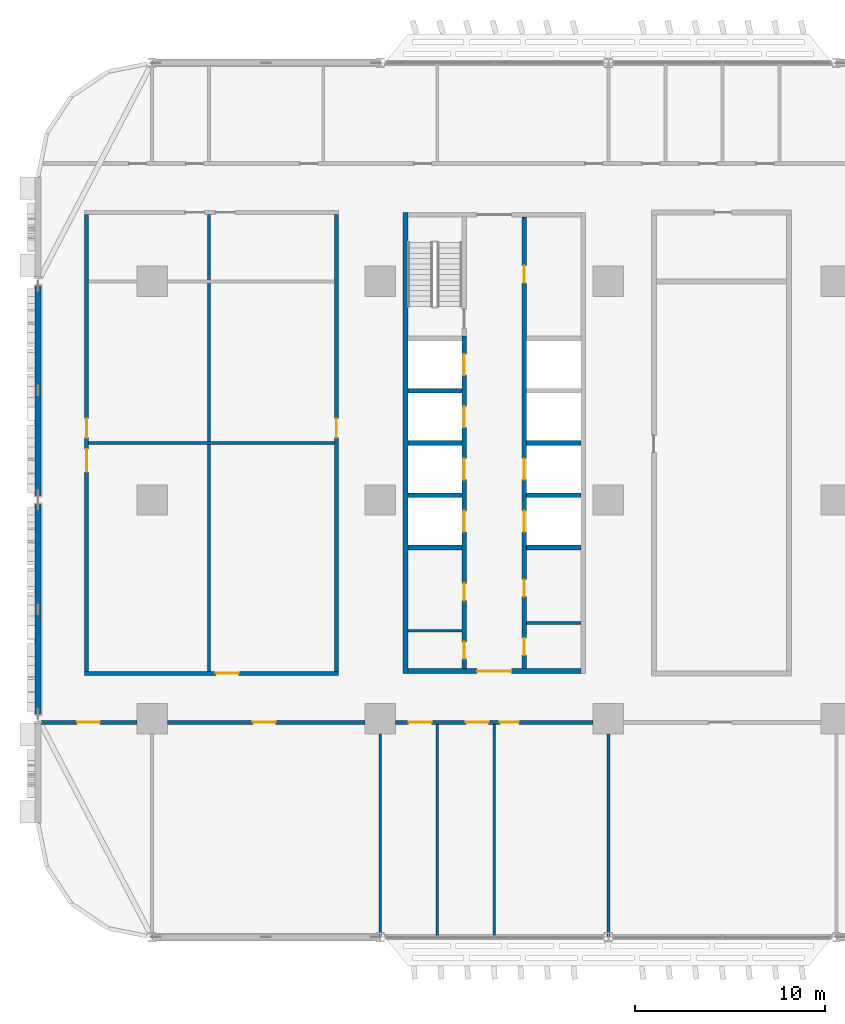
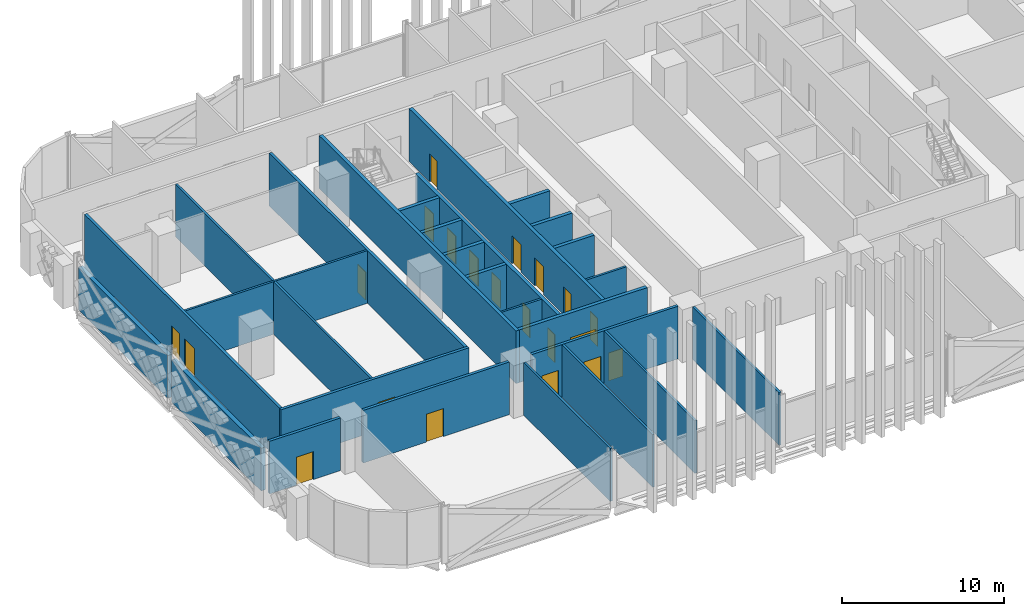
# One storey, part 10 of 29: 27 walls, 21 doors, 21 openings.
"""IFC4 building model written with IfcOpenShell, lengths in metres."""

from ifc_helpers import new_model, si_unit, direction, frame, frame_2d, origin, place, context, subcontext, project, spatial, rectangle, extrude, material, layer, layer_set, type_object, element, fill, save


model = new_model("IFC4")

# Units and contexts
model_context = context("Model", 3, precision=1e-05, world=origin(), true_north=direction((0.0, 1.0)))
body_context = subcontext(model_context, "Body", "Model", "MODEL_VIEW")
ifc_project = project(units=[si_unit("LENGTHUNIT", "METRE"), si_unit("AREAUNIT", "SQUARE_METRE"), si_unit("VOLUMEUNIT", "CUBIC_METRE"), si_unit("PLANEANGLEUNIT", "RADIAN"), si_unit("MASSUNIT", "GRAM", prefix="KILO")], contexts=[model_context])

# Site, building, storey
site_placement = place(None, origin())
site = spatial("IfcSite", under=ifc_project, at=site_placement, CompositionType="ELEMENT")
building_placement = place(site_placement, origin())
building = spatial("IfcBuilding", under=site, at=building_placement, Name="Mahtab Terrace Research Tower", CompositionType="ELEMENT")
storey_placement = place(building_placement, frame((0.0, 0.0, 24.39990234375)))
storey = spatial("IfcBuildingStorey", under=building, at=storey_placement, Name="L05", CompositionType="ELEMENT", Elevation=24.39990234375)

# Walls
ifc_material_1 = material(Name="Gypsum board partition")
ifc_layer_1 = layer(ifc_material_1, 0.14990234375)
ifc_layer_set_1 = layer_set([ifc_layer_1], Name="Core partition 150")
wall_type_1 = type_object("IfcWallType", Name="Core partition 150", PredefinedType="PARTITIONING", material=ifc_layer_set_1)
for number, where, z_axis, x_axis, name in (
    (1, (-28.550048828125, -6.875, 0.0), (0.0, 0.0, 1.0), (1.0, 0.0, 0.0), "Core wall A pWS-988"),
    (2, (-22.300048828125, -6.47509765625, 0.0), (0.0, 0.0, 1.0), (1.0, 0.0, 0.0), "Core wall A pES-948"),
):
    element("IfcWall", number, at=place(storey_placement, frame(where, z_axis=z_axis, x_axis=x_axis)), inside=storey, type_object=wall_type_1, Name=name, PredefinedType="PARTITIONING", context=body_context, shape_type="SweptSolid", body=[
        extrude(rectangle(XDim=2.85009765625, YDim=0.14990234375, at=frame_2d((1.425048828125, 0.0))), origin(), (0.0, 0.0, 1.0), 3.960205078125),
    ])
ifc_material_2 = material(Name="Concrete C70/85", Category="concrete")
ifc_layer_2 = layer(ifc_material_2, 0.25)
ifc_layer_set_2 = layer_set([ifc_layer_2], Name="Core wall 250")
wall_type_2 = type_object("IfcWallType", Name="Core wall 250", PredefinedType="SOLIDWALL", material=ifc_layer_set_2)
wall_1_placement = place(storey_placement, frame((-28.675048828125, 15.125, 0.0), z_axis=(0.0, 0.0, 1.0), x_axis=(0.0, -1.0, 0.0)))
element("IfcWall", 3, at=wall_1_placement, inside=storey, type_object=wall_type_2, Name="Core wall A outerW", PredefinedType="SOLIDWALL", context=body_context, shape_type="SweptSolid", body=[
    extrude(rectangle(XDim=24.25, YDim=0.25, at=frame_2d((12.125, 0.0))), origin(), (0.0, 0.0, 1.0), 3.960205078125),
])

# Wall, opening, door
wall_2_placement = place(storey_placement, frame((-19.449951171875, -9.0, 0.0), z_axis=(0.0, 0.0, 1.0), x_axis=(-1.0, 0.0, 0.0)))
wall_2 = element("IfcWall", 4, at=wall_2_placement, inside=storey, type_object=wall_type_2, Name="Core wall A endS", PredefinedType="SOLIDWALL", context=body_context, shape_type="SweptSolid", body=[
    extrude(rectangle(XDim=9.10009765625, YDim=0.25, at=frame_2d((4.550048828125, 0.0))), origin(), (0.0, 0.0, 1.0), 3.960205078125),
])
opening_1_placement = place(wall_2_placement, frame((3.64990234375, 0.0, 0.0)))
opening_1 = element("IfcOpeningElement", 5, at=opening_1_placement, cuts=wall_2, Name="Opening A-S1", PredefinedType="OPENING", context=body_context, shape_type="SweptSolid", body=[
    extrude(rectangle(XDim=1.800048828125, YDim=2.10009765625, at=frame_2d((0.89990234375, 1.050048828125))), frame((0.0, 0.135009765625, 0.0), z_axis=(0.0, -1.0, 0.0), x_axis=(1.0, 0.0, 0.0)), (0.0, 0.0, 1.0), 0.27001953125),
])
ifc_material_3 = material(Name="Steel fire door", Category="steel")
door_type_1 = type_object("IfcDoorType", Name="Lobby double door 1800x2100 1 HR", OperationType="DOUBLE_DOOR_SINGLE_SWING", PredefinedType="DOOR", material=ifc_material_3)
door_1_placement = place(opening_1_placement, origin())
door_1 = element("IfcDoor", 6, at=door_1_placement, inside=storey, type_object=door_type_1, Name="Core entrance door A S", OperationType="DOUBLE_DOOR_SINGLE_SWING", OverallHeight=2.10009765625, OverallWidth=1.800048828125, PredefinedType="DOOR", context=body_context, shape_type="SweptSolid", body=[
    extrude(rectangle(XDim=1.800048828125, YDim=2.10009765625, at=frame_2d((0.89990234375, 1.050048828125))), frame((0.0, 0.02490234375, 0.0), z_axis=(0.0, -1.0, 0.0), x_axis=(1.0, 0.0, 0.0)), (0.0, 0.0, 1.0), 0.050048828125),
])
fill(opening_1, door_1)

# Wall, openings, doors
wall_3_placement = place(storey_placement, frame((-25.574951171875, -8.875, 0.0), z_axis=(0.0, 0.0, 1.0), x_axis=(0.0, 1.0, 0.0)))
wall_3 = element("IfcWall", 7, at=wall_3_placement, inside=storey, type_object=wall_type_2, Name="Core wall A innerWSL", PredefinedType="SOLIDWALL", context=body_context, shape_type="SweptSolid", body=[
    extrude(rectangle(XDim=17.5, YDim=0.25, at=frame_2d((8.75, 0.0))), origin(), (0.0, 0.0, 1.0), 3.960205078125),
])
opening_2_placement = place(wall_3_placement, frame((7.199951171875, 0.0, 0.0)))
opening_2 = element("IfcOpeningElement", 8, at=opening_2_placement, cuts=wall_3, Name="Opening LD01-L05", PredefinedType="OPENING", context=body_context, shape_type="SweptSolid", body=[
    extrude(rectangle(XDim=1.10009765625, YDim=2.10009765625, at=frame_2d((0.550048828125, 1.050048828125))), frame((0.0, 0.135009765625, 0.0), z_axis=(0.0, -1.0, 0.0), x_axis=(1.0, 0.0, 0.0)), (0.0, 0.0, 1.0), 0.27001953125),
])
opening_3_placement = place(wall_3_placement, frame((9.949951171875, 0.0, 0.0)))
opening_3 = element("IfcOpeningElement", 9, at=opening_3_placement, cuts=wall_3, Name="Opening LD02-L05", PredefinedType="OPENING", context=body_context, shape_type="SweptSolid", body=[
    extrude(rectangle(XDim=1.10009765625, YDim=2.10009765625, at=frame_2d((0.550048828125, 1.050048828125))), frame((0.0, 0.135009765625, 0.0), z_axis=(0.0, -1.0, 0.0), x_axis=(1.0, 0.0, 0.0)), (0.0, 0.0, 1.0), 0.27001953125),
])
opening_4_placement = place(wall_3_placement, frame((12.699951171875, 0.0, 0.0)))
opening_4 = element("IfcOpeningElement", 10, at=opening_4_placement, cuts=wall_3, Name="Opening LD03-L05", PredefinedType="OPENING", context=body_context, shape_type="SweptSolid", body=[
    extrude(rectangle(XDim=1.10009765625, YDim=2.10009765625, at=frame_2d((0.550048828125, 1.050048828125))), frame((0.0, 0.135009765625, 0.0), z_axis=(0.0, -1.0, 0.0), x_axis=(1.0, 0.0, 0.0)), (0.0, 0.0, 1.0), 0.27001953125),
])
opening_5_placement = place(wall_3_placement, frame((15.449951171875, 0.0, 0.0)))
opening_5 = element("IfcOpeningElement", 11, at=opening_5_placement, cuts=wall_3, Name="Opening LD04-L05", PredefinedType="OPENING", context=body_context, shape_type="SweptSolid", body=[
    extrude(rectangle(XDim=1.10009765625, YDim=2.10009765625, at=frame_2d((0.550048828125, 1.050048828125))), frame((0.0, 0.135009765625, 0.0), z_axis=(0.0, -1.0, 0.0), x_axis=(1.0, 0.0, 0.0)), (0.0, 0.0, 1.0), 0.27001953125),
])
opening_6_placement = place(wall_3_placement, frame((0.512451171875, 0.0, 0.0)))
opening_6 = element("IfcOpeningElement", 12, at=opening_6_placement, cuts=wall_3, Name="Opening A-R1", PredefinedType="OPENING", context=body_context, shape_type="SweptSolid", body=[
    extrude(rectangle(XDim=0.89990234375, YDim=2.10009765625, at=frame_2d((0.449951171875, 1.050048828125))), frame((0.0, 0.135009765625, 0.0), z_axis=(0.0, -1.0, 0.0), x_axis=(1.0, 0.0, 0.0)), (0.0, 0.0, 1.0), 0.27001953125),
])
opening_7_placement = place(wall_3_placement, frame((3.58740234375, 0.0, 0.0)))
opening_7 = element("IfcOpeningElement", 13, at=opening_7_placement, cuts=wall_3, Name="Opening A-R2", PredefinedType="OPENING", context=body_context, shape_type="SweptSolid", body=[
    extrude(rectangle(XDim=0.89990234375, YDim=2.10009765625, at=frame_2d((0.449951171875, 1.050048828125))), frame((0.0, 0.135009765625, 0.0), z_axis=(0.0, -1.0, 0.0), x_axis=(1.0, 0.0, 0.0)), (0.0, 0.0, 1.0), 0.27001953125),
])
ifc_material_4 = material(Name="Stainless steel AISI 304", Category="steel")
door_type_2 = type_object("IfcDoorType", Name="Landing door 1100x2100", OperationType="DOUBLE_DOOR_SLIDING", PredefinedType="DOOR", material=ifc_material_4)
door_2_placement = place(opening_2_placement, origin())
door_2 = element("IfcDoor", 14, at=door_2_placement, inside=storey, type_object=door_type_2, Name="Landing door LR1 L05", OperationType="DOUBLE_DOOR_SLIDING", OverallHeight=2.10009765625, OverallWidth=1.10009765625, PredefinedType="DOOR", context=body_context, shape_type="SweptSolid", body=[
    extrude(rectangle(XDim=1.10009765625, YDim=2.10009765625, at=frame_2d((0.550048828125, 1.050048828125))), frame((0.0, 0.02490234375, 0.0), z_axis=(0.0, -1.0, 0.0), x_axis=(1.0, 0.0, 0.0)), (0.0, 0.0, 1.0), 0.050048828125),
])
fill(opening_2, door_2)
door_3_placement = place(opening_3_placement, origin())
door_3 = element("IfcDoor", 15, at=door_3_placement, inside=storey, type_object=door_type_2, Name="Landing door LR2 L05", OperationType="DOUBLE_DOOR_SLIDING", OverallHeight=2.10009765625, OverallWidth=1.10009765625, PredefinedType="DOOR", context=body_context, shape_type="SweptSolid", body=[
    extrude(rectangle(XDim=1.10009765625, YDim=2.10009765625, at=frame_2d((0.550048828125, 1.050048828125))), frame((0.0, 0.02490234375, 0.0), z_axis=(0.0, -1.0, 0.0), x_axis=(1.0, 0.0, 0.0)), (0.0, 0.0, 1.0), 0.050048828125),
])
fill(opening_3, door_3)
door_4_placement = place(opening_4_placement, origin())
door_4 = element("IfcDoor", 16, at=door_4_placement, inside=storey, type_object=door_type_2, Name="Landing door LR3 L05", OperationType="DOUBLE_DOOR_SLIDING", OverallHeight=2.10009765625, OverallWidth=1.10009765625, PredefinedType="DOOR", context=body_context, shape_type="SweptSolid", body=[
    extrude(rectangle(XDim=1.10009765625, YDim=2.10009765625, at=frame_2d((0.550048828125, 1.050048828125))), frame((0.0, 0.02490234375, 0.0), z_axis=(0.0, -1.0, 0.0), x_axis=(1.0, 0.0, 0.0)), (0.0, 0.0, 1.0), 0.050048828125),
])
fill(opening_4, door_4)
door_5_placement = place(opening_5_placement, origin())
door_5 = element("IfcDoor", 17, at=door_5_placement, inside=storey, type_object=door_type_2, Name="Landing door LR4 L05", OperationType="DOUBLE_DOOR_SLIDING", OverallHeight=2.10009765625, OverallWidth=1.10009765625, PredefinedType="DOOR", context=body_context, shape_type="SweptSolid", body=[
    extrude(rectangle(XDim=1.10009765625, YDim=2.10009765625, at=frame_2d((0.550048828125, 1.050048828125))), frame((0.0, 0.02490234375, 0.0), z_axis=(0.0, -1.0, 0.0), x_axis=(1.0, 0.0, 0.0)), (0.0, 0.0, 1.0), 0.050048828125),
])
fill(opening_5, door_5)
door_type_3 = type_object("IfcDoorType", Name="Room door 900x2100 1 HR", OperationType="NOTDEFINED", PredefinedType="DOOR", material=ifc_material_3)
door_6_placement = place(opening_6_placement, origin())
door_6 = element("IfcDoor", 18, at=door_6_placement, inside=storey, type_object=door_type_3, Name="Accessible WC door", OperationType="SINGLE_SWING_LEFT", OverallHeight=2.10009765625, OverallWidth=0.89990234375, PredefinedType="DOOR", context=body_context, shape_type="SweptSolid", body=[
    extrude(rectangle(XDim=0.89990234375, YDim=2.10009765625, at=frame_2d((0.449951171875, 1.050048828125))), frame((0.0, 0.02490234375, 0.0), z_axis=(0.0, -1.0, 0.0), x_axis=(1.0, 0.0, 0.0)), (0.0, 0.0, 1.0), 0.050048828125),
])
fill(opening_6, door_6)
door_7_placement = place(opening_7_placement, origin())
door_7 = element("IfcDoor", 19, at=door_7_placement, inside=storey, type_object=door_type_3, Name="WC block door", OperationType="SINGLE_SWING_RIGHT", OverallHeight=2.10009765625, OverallWidth=0.89990234375, PredefinedType="DOOR", context=body_context, shape_type="SweptSolid", body=[
    extrude(rectangle(XDim=0.89990234375, YDim=2.10009765625, at=frame_2d((0.449951171875, 1.050048828125))), frame((0.0, 0.02490234375, 0.0), z_axis=(0.0, -1.0, 0.0), x_axis=(1.0, 0.0, 0.0)), (0.0, 0.0, 1.0), 0.050048828125),
])
fill(opening_7, door_7)

wall_4_placement = place(storey_placement, frame((-22.425048828125, 14.875, 0.0), z_axis=(0.0, 0.0, 1.0), x_axis=(0.0, -1.0, 0.0)))
wall_4 = element("IfcWall", 20, at=wall_4_placement, inside=storey, type_object=wall_type_2, Name="Core wall A innerESLN", PredefinedType="SOLIDWALL", context=body_context, shape_type="SweptSolid", body=[
    extrude(rectangle(XDim=23.75, YDim=0.25, at=frame_2d((11.875, 0.0))), origin(), (0.0, 0.0, 1.0), 3.960205078125),
])
opening_8_placement = place(wall_4_placement, frame((15.449951171875, 0.0, 0.0)))
opening_8 = element("IfcOpeningElement", 21, at=opening_8_placement, cuts=wall_4, Name="Opening LD05-L05", PredefinedType="OPENING", context=body_context, shape_type="SweptSolid", body=[
    extrude(rectangle(XDim=1.10009765625, YDim=2.10009765625, at=frame_2d((0.550048828125, 1.050048828125))), frame((0.0, 0.135009765625, 0.0), z_axis=(0.0, -1.0, 0.0), x_axis=(1.0, 0.0, 0.0)), (0.0, 0.0, 1.0), 0.27001953125),
])
opening_9_placement = place(wall_4_placement, frame((12.699951171875, 0.0, 0.0)))
opening_9 = element("IfcOpeningElement", 22, at=opening_9_placement, cuts=wall_4, Name="Opening LD06-L05", PredefinedType="OPENING", context=body_context, shape_type="SweptSolid", body=[
    extrude(rectangle(XDim=1.10009765625, YDim=2.10009765625, at=frame_2d((0.550048828125, 1.050048828125))), frame((0.0, 0.135009765625, 0.0), z_axis=(0.0, -1.0, 0.0), x_axis=(1.0, 0.0, 0.0)), (0.0, 0.0, 1.0), 0.27001953125),
])
opening_10_placement = place(wall_4_placement, frame((22.137451171875, 0.0, 0.0)))
opening_10 = element("IfcOpeningElement", 23, at=opening_10_placement, cuts=wall_4, Name="Opening A-R3", PredefinedType="OPENING", context=body_context, shape_type="SweptSolid", body=[
    extrude(rectangle(XDim=0.89990234375, YDim=2.10009765625, at=frame_2d((0.449951171875, 1.050048828125))), frame((0.0, 0.135009765625, 0.0), z_axis=(0.0, -1.0, 0.0), x_axis=(1.0, 0.0, 0.0)), (0.0, 0.0, 1.0), 0.27001953125),
])
opening_11_placement = place(wall_4_placement, frame((19.0625, 0.0, 0.0)))
opening_11 = element("IfcOpeningElement", 24, at=opening_11_placement, cuts=wall_4, Name="Opening A-R4", PredefinedType="OPENING", context=body_context, shape_type="SweptSolid", body=[
    extrude(rectangle(XDim=0.89990234375, YDim=2.10009765625, at=frame_2d((0.449951171875, 1.050048828125))), frame((0.0, 0.135009765625, 0.0), z_axis=(0.0, -1.0, 0.0), x_axis=(1.0, 0.0, 0.0)), (0.0, 0.0, 1.0), 0.27001953125),
])
opening_12_placement = place(wall_4_placement, frame((2.550048828125, 0.0, 0.0)))
opening_12 = element("IfcOpeningElement", 25, at=opening_12_placement, cuts=wall_4, Name="Opening A-R5", PredefinedType="OPENING", context=body_context, shape_type="SweptSolid", body=[
    extrude(rectangle(XDim=0.89990234375, YDim=2.10009765625, at=frame_2d((0.449951171875, 1.050048828125))), frame((0.0, 0.135009765625, 0.0), z_axis=(0.0, -1.0, 0.0), x_axis=(1.0, 0.0, 0.0)), (0.0, 0.0, 1.0), 0.27001953125),
])
door_8_placement = place(opening_8_placement, origin())
door_8 = element("IfcDoor", 26, at=door_8_placement, inside=storey, type_object=door_type_2, Name="Landing door LR5 L05", OperationType="DOUBLE_DOOR_SLIDING", OverallHeight=2.10009765625, OverallWidth=1.10009765625, PredefinedType="DOOR", context=body_context, shape_type="SweptSolid", body=[
    extrude(rectangle(XDim=1.10009765625, YDim=2.10009765625, at=frame_2d((0.550048828125, 1.050048828125))), frame((0.0, 0.02490234375, 0.0), z_axis=(0.0, -1.0, 0.0), x_axis=(1.0, 0.0, 0.0)), (0.0, 0.0, 1.0), 0.050048828125),
])
fill(opening_8, door_8)
door_9_placement = place(opening_9_placement, origin())
door_9 = element("IfcDoor", 27, at=door_9_placement, inside=storey, type_object=door_type_2, Name="Landing door LR6 L05", OperationType="DOUBLE_DOOR_SLIDING", OverallHeight=2.10009765625, OverallWidth=1.10009765625, PredefinedType="DOOR", context=body_context, shape_type="SweptSolid", body=[
    extrude(rectangle(XDim=1.10009765625, YDim=2.10009765625, at=frame_2d((0.550048828125, 1.050048828125))), frame((0.0, 0.02490234375, 0.0), z_axis=(0.0, -1.0, 0.0), x_axis=(1.0, 0.0, 0.0)), (0.0, 0.0, 1.0), 0.050048828125),
])
fill(opening_9, door_9)
door_10_placement = place(opening_10_placement, origin())
door_10 = element("IfcDoor", 28, at=door_10_placement, inside=storey, type_object=door_type_3, Name="Mechanical riser room door", OperationType="SINGLE_SWING_LEFT", OverallHeight=2.10009765625, OverallWidth=0.89990234375, PredefinedType="DOOR", context=body_context, shape_type="SweptSolid", body=[
    extrude(rectangle(XDim=0.89990234375, YDim=2.10009765625, at=frame_2d((0.449951171875, 1.050048828125))), frame((0.0, 0.02490234375, 0.0), z_axis=(0.0, -1.0, 0.0), x_axis=(1.0, 0.0, 0.0)), (0.0, 0.0, 1.0), 0.050048828125),
])
fill(opening_10, door_10)
door_11_placement = place(opening_11_placement, origin())
door_11 = element("IfcDoor", 29, at=door_11_placement, inside=storey, type_object=door_type_3, Name="Chemical store door", OperationType="SINGLE_SWING_RIGHT", OverallHeight=2.10009765625, OverallWidth=0.89990234375, PredefinedType="DOOR", context=body_context, shape_type="SweptSolid", body=[
    extrude(rectangle(XDim=0.89990234375, YDim=2.10009765625, at=frame_2d((0.449951171875, 1.050048828125))), frame((0.0, 0.02490234375, 0.0), z_axis=(0.0, -1.0, 0.0), x_axis=(1.0, 0.0, 0.0)), (0.0, 0.0, 1.0), 0.050048828125),
])
fill(opening_11, door_11)
door_12_placement = place(opening_12_placement, origin())
door_12 = element("IfcDoor", 30, at=door_12_placement, inside=storey, type_object=door_type_3, Name="Gas cylinder store door", OperationType="SINGLE_SWING_LEFT", OverallHeight=2.10009765625, OverallWidth=0.89990234375, PredefinedType="DOOR", context=body_context, shape_type="SweptSolid", body=[
    extrude(rectangle(XDim=0.89990234375, YDim=2.10009765625, at=frame_2d((0.449951171875, 1.050048828125))), frame((0.0, 0.02490234375, 0.0), z_axis=(0.0, -1.0, 0.0), x_axis=(1.0, 0.0, 0.0)), (0.0, 0.0, 1.0), 0.050048828125),
])
fill(opening_12, door_12)

# Walls
for number, where, z_axis, x_axis, name in (
    (31, (-28.550048828125, -2.5, 0.0), (0.0, 0.0, 1.0), (1.0, 0.0, 0.0), "Core wall A divW0"),
    (32, (-28.550048828125, 0.25, 0.0), (0.0, 0.0, 1.0), (1.0, 0.0, 0.0), "Core wall A divW1"),
    (33, (-28.550048828125, 3.0, 0.0), (0.0, 0.0, 1.0), (1.0, 0.0, 0.0), "Core wall A divW2"),
    (34, (-28.550048828125, 5.75, 0.0), (0.0, 0.0, 1.0), (1.0, 0.0, 0.0), "Core wall A divW3"),
    (35, (-22.300048828125, -2.5, 0.0), (0.0, 0.0, 1.0), (1.0, 0.0, 0.0), "Core wall A divE0"),
    (36, (-22.300048828125, 0.25, 0.0), (0.0, 0.0, 1.0), (1.0, 0.0, 0.0), "Core wall A divE1"),
    (37, (-22.300048828125, 3.0, 0.0), (0.0, 0.0, 1.0), (1.0, 0.0, 0.0), "Core wall A divE2"),
):
    element("IfcWall", number, at=place(storey_placement, frame(where, z_axis=z_axis, x_axis=x_axis)), inside=storey, type_object=wall_type_2, Name=name, PredefinedType="SOLIDWALL", context=body_context, shape_type="SweptSolid", body=[
        extrude(rectangle(XDim=2.85009765625, YDim=0.25, at=frame_2d((1.425048828125, 0.0))), origin(), (0.0, 0.0, 1.0), 3.960205078125),
    ])
ifc_material_5 = material(Name="Black aluminium cladding panel", Category="aluminium")
ifc_layer_3 = layer(ifc_material_5, 0.300048828125)
ifc_layer_set_3 = layer_set([ifc_layer_3], Name="Opaque facade wall 300")
wall_type_3 = type_object("IfcWallType", Name="Opaque facade wall 300", PredefinedType="NOTDEFINED", material=ifc_layer_set_3)
for number, where, z_axis, x_axis, name in (
    (38, (-48.0, 11.2509765625, 0.0), (0.0, 0.0, 1.0), (0.0, -1.0, 0.0), "Opaque facade wall L05 W15"),
    (39, (-48.0, -0.2490234375, 0.0), (0.0, 0.0, 1.0), (0.0, -1.0, 0.0), "Opaque facade wall L05 W16"),
):
    element("IfcWall", number, at=place(storey_placement, frame(where, z_axis=z_axis, x_axis=x_axis)), inside=storey, type_object=wall_type_3, Name=name, PredefinedType="NOTDEFINED", context=body_context, shape_type="SweptSolid", body=[
        extrude(rectangle(XDim=11.001953125, YDim=0.300048828125, at=frame_2d((5.5009765625, 0.0))), origin(), (0.0, 0.0, 1.0), 3.203125),
    ])

# Wall, opening, door
ifc_material_6 = material(Name="Gypsum board corridor wall on steel studs", Category="steel")
ifc_layer_4 = layer(ifc_material_6, 0.199951171875)
ifc_layer_set_4 = layer_set([ifc_layer_4], Name="WALL CORRIDOR 200")
wall_type_4 = type_object("IfcWallType", Name="WALL CORRIDOR 200", PredefinedType="PARTITIONING", material=ifc_layer_set_4)
wall_5_placement = place(storey_placement, frame((-47.85009765625, -11.699951171875, 0.0), z_axis=(0.0, 0.0, 1.0), x_axis=(1.0, 0.0, 0.0)))
wall_5 = element("IfcWall", 40, at=wall_5_placement, inside=storey, type_object=wall_type_4, Name="L05-W001", PredefinedType="PARTITIONING", context=body_context, shape_type="SweptSolid", body=[
    extrude(rectangle(XDim=5.050048828125, YDim=0.199951171875, at=frame_2d((2.52490234375, 0.0))), origin(), (0.0, 0.0, 1.0), 3.960205078125),
])
opening_13_placement = place(wall_5_placement, frame((1.89990234375, 0.0, 0.0)))
opening_13 = element("IfcOpeningElement", 41, at=opening_13_placement, cuts=wall_5, Name="Opening L05-101", PredefinedType="OPENING", context=body_context, shape_type="SweptSolid", body=[
    extrude(rectangle(XDim=1.199951171875, YDim=2.10009765625, at=frame_2d((0.60009765625, 1.050048828125))), frame((0.0, 0.10986328125, 0.0), z_axis=(0.0, -1.0, 0.0), x_axis=(1.0, 0.0, 0.0)), (0.0, 0.0, 1.0), 0.219970703125),
])
ifc_material_7 = material(Name="Timber door leaf in steel frame", Category="steel")
door_type_4 = type_object("IfcDoorType", Name="DOOR 1200X2100 FD30S", OperationType="SINGLE_SWING_LEFT", PredefinedType="DOOR", material=ifc_material_7)
door_13_placement = place(opening_13_placement, origin())
door_13 = element("IfcDoor", 42, at=door_13_placement, inside=storey, type_object=door_type_4, Name="Door L05-101", OperationType="SINGLE_SWING_RIGHT", OverallHeight=2.10009765625, OverallWidth=1.199951171875, PredefinedType="DOOR", context=body_context, shape_type="SweptSolid", body=[
    extrude(rectangle(XDim=1.199951171875, YDim=2.10009765625, at=frame_2d((0.60009765625, 1.050048828125))), frame((0.0, 0.02490234375, 0.0), z_axis=(0.0, -1.0, 0.0), x_axis=(1.0, 0.0, 0.0)), (0.0, 0.0, 1.0), 0.050048828125),
])
fill(opening_13, door_13)

wall_6_placement = place(storey_placement, frame((-41.199951171875, -11.699951171875, 0.0), z_axis=(0.0, 0.0, 1.0), x_axis=(1.0, 0.0, 0.0)))
wall_6 = element("IfcWall", 43, at=wall_6_placement, inside=storey, type_object=wall_type_4, Name="L05-W002", PredefinedType="PARTITIONING", context=body_context, shape_type="SweptSolid", body=[
    extrude(rectangle(XDim=10.39990234375, YDim=0.199951171875, at=frame_2d((5.199951171875, 0.0))), origin(), (0.0, 0.0, 1.0), 3.960205078125),
])
opening_14_placement = place(wall_6_placement, frame((4.5, 0.0, 0.0)))
opening_14 = element("IfcOpeningElement", 44, at=opening_14_placement, cuts=wall_6, Name="Opening L05-102", PredefinedType="OPENING", context=body_context, shape_type="SweptSolid", body=[
    extrude(rectangle(XDim=1.199951171875, YDim=2.10009765625, at=frame_2d((0.60009765625, 1.050048828125))), frame((0.0, 0.10986328125, 0.0), z_axis=(0.0, -1.0, 0.0), x_axis=(1.0, 0.0, 0.0)), (0.0, 0.0, 1.0), 0.219970703125),
])
door_14_placement = place(opening_14_placement, origin())
door_14 = element("IfcDoor", 45, at=door_14_placement, inside=storey, type_object=door_type_4, Name="Door L05-102", OperationType="SINGLE_SWING_RIGHT", OverallHeight=2.10009765625, OverallWidth=1.199951171875, PredefinedType="DOOR", context=body_context, shape_type="SweptSolid", body=[
    extrude(rectangle(XDim=1.199951171875, YDim=2.10009765625, at=frame_2d((0.60009765625, 1.050048828125))), frame((0.0, 0.02490234375, 0.0), z_axis=(0.0, -1.0, 0.0), x_axis=(1.0, 0.0, 0.0)), (0.0, 0.0, 1.0), 0.050048828125),
])
fill(opening_14, door_14)

# Wall, openings, doors
wall_7_placement = place(storey_placement, frame((-29.199951171875, -11.699951171875, 0.0), z_axis=(0.0, 0.0, 1.0), x_axis=(1.0, 0.0, 0.0)))
wall_7 = element("IfcWall", 46, at=wall_7_placement, inside=storey, type_object=wall_type_4, Name="L05-W003", PredefinedType="PARTITIONING", context=body_context, shape_type="SweptSolid", body=[
    extrude(rectangle(XDim=10.39990234375, YDim=0.199951171875, at=frame_2d((5.199951171875, 0.0))), origin(), (0.0, 0.0, 1.0), 3.960205078125),
])
opening_15_placement = place(wall_7_placement, frame((0.699951171875, 0.0, 0.0)))
opening_15 = element("IfcOpeningElement", 47, at=opening_15_placement, cuts=wall_7, Name="Opening L05-103", PredefinedType="OPENING", context=body_context, shape_type="SweptSolid", body=[
    extrude(rectangle(XDim=1.199951171875, YDim=2.10009765625, at=frame_2d((0.60009765625, 1.050048828125))), frame((0.0, 0.10986328125, 0.0), z_axis=(0.0, -1.0, 0.0), x_axis=(1.0, 0.0, 0.0)), (0.0, 0.0, 1.0), 0.219970703125),
])
opening_16_placement = place(wall_7_placement, frame((3.699951171875, 0.0, 0.0)))
opening_16 = element("IfcOpeningElement", 48, at=opening_16_placement, cuts=wall_7, Name="Opening L05-104", PredefinedType="OPENING", context=body_context, shape_type="SweptSolid", body=[
    extrude(rectangle(XDim=1.199951171875, YDim=2.10009765625, at=frame_2d((0.60009765625, 1.050048828125))), frame((0.0, 0.10986328125, 0.0), z_axis=(0.0, -1.0, 0.0), x_axis=(1.0, 0.0, 0.0)), (0.0, 0.0, 1.0), 0.219970703125),
])
opening_17_placement = place(wall_7_placement, frame((5.5, 0.0, 0.0)))
opening_17 = element("IfcOpeningElement", 49, at=opening_17_placement, cuts=wall_7, Name="Opening L05-105", PredefinedType="OPENING", context=body_context, shape_type="SweptSolid", body=[
    extrude(rectangle(XDim=1.0, YDim=2.10009765625, at=frame_2d((0.5, 1.050048828125))), frame((0.0, 0.10986328125, 0.0), z_axis=(0.0, -1.0, 0.0), x_axis=(1.0, 0.0, 0.0)), (0.0, 0.0, 1.0), 0.219970703125),
])
door_type_5 = type_object("IfcDoorType", Name="DOOR 1000X2100 FD30S", OperationType="SINGLE_SWING_LEFT", PredefinedType="DOOR", material=ifc_material_7)
door_15_placement = place(opening_17_placement, origin())
door_15 = element("IfcDoor", 50, at=door_15_placement, inside=storey, type_object=door_type_5, Name="Door L05-105", OperationType="SINGLE_SWING_LEFT", OverallHeight=2.10009765625, OverallWidth=1.0, PredefinedType="DOOR", context=body_context, shape_type="SweptSolid", body=[
    extrude(rectangle(XDim=1.0, YDim=2.10009765625, at=frame_2d((0.5, 1.050048828125))), frame((0.0, 0.02490234375, 0.0), z_axis=(0.0, -1.0, 0.0), x_axis=(1.0, 0.0, 0.0)), (0.0, 0.0, 1.0), 0.050048828125),
])
fill(opening_17, door_15)
door_16_placement = place(opening_15_placement, origin())
door_16 = element("IfcDoor", 51, at=door_16_placement, inside=storey, type_object=door_type_4, Name="Door L05-103", OperationType="SINGLE_SWING_RIGHT", OverallHeight=2.10009765625, OverallWidth=1.199951171875, PredefinedType="DOOR", context=body_context, shape_type="SweptSolid", body=[
    extrude(rectangle(XDim=1.199951171875, YDim=2.10009765625, at=frame_2d((0.60009765625, 1.050048828125))), frame((0.0, 0.02490234375, 0.0), z_axis=(0.0, -1.0, 0.0), x_axis=(1.0, 0.0, 0.0)), (0.0, 0.0, 1.0), 0.050048828125),
])
fill(opening_15, door_16)
door_17_placement = place(opening_16_placement, origin())
door_17 = element("IfcDoor", 52, at=door_17_placement, inside=storey, type_object=door_type_4, Name="Door L05-104", OperationType="SINGLE_SWING_RIGHT", OverallHeight=2.10009765625, OverallWidth=1.199951171875, PredefinedType="DOOR", context=body_context, shape_type="SweptSolid", body=[
    extrude(rectangle(XDim=1.199951171875, YDim=2.10009765625, at=frame_2d((0.60009765625, 1.050048828125))), frame((0.0, 0.02490234375, 0.0), z_axis=(0.0, -1.0, 0.0), x_axis=(1.0, 0.0, 0.0)), (0.0, 0.0, 1.0), 0.050048828125),
])
fill(opening_16, door_17)

# Wall, opening, door
wall_8_placement = place(storey_placement, frame((-45.550048828125, -9.125, 0.0), z_axis=(0.0, 0.0, 1.0), x_axis=(1.0, 0.0, 0.0)))
wall_8 = element("IfcWall", 53, at=wall_8_placement, inside=storey, type_object=wall_type_4, Name="L05-W010", PredefinedType="PARTITIONING", context=body_context, shape_type="SweptSolid", body=[
    extrude(rectangle(XDim=13.35009765625, YDim=0.199951171875, at=frame_2d((6.675048828125, 0.0))), origin(), (0.0, 0.0, 1.0), 3.960205078125),
])
opening_18_placement = place(wall_8_placement, frame((6.89990234375, 0.0, 0.0)))
opening_18 = element("IfcOpeningElement", 54, at=opening_18_placement, cuts=wall_8, Name="Opening L05-117", PredefinedType="OPENING", context=body_context, shape_type="SweptSolid", body=[
    extrude(rectangle(XDim=1.199951171875, YDim=2.10009765625, at=frame_2d((0.60009765625, 1.050048828125))), frame((0.0, 0.10986328125, 0.0), z_axis=(0.0, -1.0, 0.0), x_axis=(1.0, 0.0, 0.0)), (0.0, 0.0, 1.0), 0.219970703125),
])
door_18_placement = place(opening_18_placement, origin())
door_18 = element("IfcDoor", 55, at=door_18_placement, inside=storey, type_object=door_type_4, Name="Door L05-117", OperationType="SINGLE_SWING_RIGHT", OverallHeight=2.10009765625, OverallWidth=1.199951171875, PredefinedType="DOOR", context=body_context, shape_type="SweptSolid", body=[
    extrude(rectangle(XDim=1.199951171875, YDim=2.10009765625, at=frame_2d((0.60009765625, 1.050048828125))), frame((0.0, 0.02490234375, 0.0), z_axis=(0.0, -1.0, 0.0), x_axis=(1.0, 0.0, 0.0)), (0.0, 0.0, 1.0), 0.050048828125),
])
fill(opening_18, door_18)

# Wall, openings, doors
wall_9_placement = place(storey_placement, frame((-45.449951171875, -9.02490234375, 0.0), z_axis=(0.0, 0.0, 1.0), x_axis=(0.0, 1.0, 0.0)))
wall_9 = element("IfcWall", 56, at=wall_9_placement, inside=storey, type_object=wall_type_4, Name="L05-W027", PredefinedType="PARTITIONING", context=body_context, shape_type="SweptSolid", body=[
    extrude(rectangle(XDim=24.0498046875, YDim=0.199951171875, at=frame_2d((12.02490234375, 0.0))), origin(), (0.0, 0.0, 1.0), 3.960205078125),
])
opening_19_placement = place(wall_9_placement, frame((10.5, 0.0, 0.0)))
opening_19 = element("IfcOpeningElement", 57, at=opening_19_placement, cuts=wall_9, Name="Opening L05-116", PredefinedType="OPENING", context=body_context, shape_type="SweptSolid", body=[
    extrude(rectangle(XDim=1.199951171875, YDim=2.10009765625, at=frame_2d((0.60009765625, 1.050048828125))), frame((0.0, 0.10986328125, 0.0), z_axis=(0.0, -1.0, 0.0), x_axis=(1.0, 0.0, 0.0)), (0.0, 0.0, 1.0), 0.219970703125),
])
opening_20_placement = place(wall_9_placement, frame((12.300048828125, 0.0, 0.0)))
opening_20 = element("IfcOpeningElement", 58, at=opening_20_placement, cuts=wall_9, Name="Opening L05-121", PredefinedType="OPENING", context=body_context, shape_type="SweptSolid", body=[
    extrude(rectangle(XDim=1.0, YDim=2.10009765625, at=frame_2d((0.5, 1.050048828125))), frame((0.0, 0.10986328125, 0.0), z_axis=(0.0, -1.0, 0.0), x_axis=(1.0, 0.0, 0.0)), (0.0, 0.0, 1.0), 0.219970703125),
])
door_19_placement = place(opening_20_placement, origin())
door_19 = element("IfcDoor", 59, at=door_19_placement, inside=storey, type_object=door_type_5, Name="Door L05-121", OperationType="SINGLE_SWING_LEFT", OverallHeight=2.10009765625, OverallWidth=1.0, PredefinedType="DOOR", context=body_context, shape_type="SweptSolid", body=[
    extrude(rectangle(XDim=1.0, YDim=2.10009765625, at=frame_2d((0.5, 1.050048828125))), frame((0.0, 0.02490234375, 0.0), z_axis=(0.0, -1.0, 0.0), x_axis=(1.0, 0.0, 0.0)), (0.0, 0.0, 1.0), 0.050048828125),
])
fill(opening_20, door_19)
door_20_placement = place(opening_19_placement, origin())
door_20 = element("IfcDoor", 60, at=door_20_placement, inside=storey, type_object=door_type_4, Name="Door L05-116", OperationType="SINGLE_SWING_RIGHT", OverallHeight=2.10009765625, OverallWidth=1.199951171875, PredefinedType="DOOR", context=body_context, shape_type="SweptSolid", body=[
    extrude(rectangle(XDim=1.199951171875, YDim=2.10009765625, at=frame_2d((0.60009765625, 1.050048828125))), frame((0.0, 0.02490234375, 0.0), z_axis=(0.0, -1.0, 0.0), x_axis=(1.0, 0.0, 0.0)), (0.0, 0.0, 1.0), 0.050048828125),
])
fill(opening_19, door_20)

# Wall, opening, door
wall_10_placement = place(storey_placement, frame((-32.300048828125, -9.02490234375, 0.0), z_axis=(0.0, 0.0, 1.0), x_axis=(0.0, 1.0, 0.0)))
wall_10 = element("IfcWall", 61, at=wall_10_placement, inside=storey, type_object=wall_type_4, Name="L05-W033", PredefinedType="PARTITIONING", context=body_context, shape_type="SweptSolid", body=[
    extrude(rectangle(XDim=24.0498046875, YDim=0.199951171875, at=frame_2d((12.02490234375, 0.0))), origin(), (0.0, 0.0, 1.0), 3.960205078125),
])
opening_21_placement = place(wall_10_placement, frame((12.300048828125, 0.0, 0.0)))
opening_21 = element("IfcOpeningElement", 62, at=opening_21_placement, cuts=wall_10, Name="Opening L05-122", PredefinedType="OPENING", context=body_context, shape_type="SweptSolid", body=[
    extrude(rectangle(XDim=1.0, YDim=2.10009765625, at=frame_2d((0.5, 1.050048828125))), frame((0.0, 0.10986328125, 0.0), z_axis=(0.0, -1.0, 0.0), x_axis=(1.0, 0.0, 0.0)), (0.0, 0.0, 1.0), 0.219970703125),
])
door_21_placement = place(opening_21_placement, origin())
door_21 = element("IfcDoor", 63, at=door_21_placement, inside=storey, type_object=door_type_5, Name="Door L05-122", OperationType="SINGLE_SWING_RIGHT", OverallHeight=2.10009765625, OverallWidth=1.0, PredefinedType="DOOR", context=body_context, shape_type="SweptSolid", body=[
    extrude(rectangle(XDim=1.0, YDim=2.10009765625, at=frame_2d((0.5, 1.050048828125))), frame((0.0, 0.02490234375, 0.0), z_axis=(0.0, -1.0, 0.0), x_axis=(1.0, 0.0, 0.0)), (0.0, 0.0, 1.0), 0.050048828125),
])
fill(opening_21, door_21)

# Walls
ifc_material_8 = material(Name="Gypsum board partition on steel studs", Category="steel")
ifc_layer_5 = layer(ifc_material_8, 0.14990234375)
ifc_layer_set_5 = layer_set([ifc_layer_5], Name="WALL PARTITION 150")
wall_type_5 = type_object("IfcWallType", Name="WALL PARTITION 150", PredefinedType="PARTITIONING", material=ifc_layer_set_5)
wall_11_placement = place(storey_placement, frame((-45.35009765625, 3.0, 0.0), z_axis=(0.0, 0.0, 1.0), x_axis=(1.0, 0.0, 0.0)))
element("IfcWall", 64, at=wall_11_placement, inside=storey, type_object=wall_type_5, Name="L05-W014", PredefinedType="PARTITIONING", context=body_context, shape_type="SweptSolid", body=[
    extrude(rectangle(XDim=12.9501953125, YDim=0.14990234375, at=frame_2d((6.47509765625, 0.0))), origin(), (0.0, 0.0, 1.0), 3.960205078125),
])
wall_12_placement = place(storey_placement, frame((-39.0, -9.02490234375, 0.0), z_axis=(0.0, 0.0, 1.0), x_axis=(0.0, 1.0, 0.0)))
element("IfcWall", 65, at=wall_12_placement, inside=storey, type_object=wall_type_5, Name="L05-W030", PredefinedType="PARTITIONING", context=body_context, shape_type="SweptSolid", body=[
    extrude(rectangle(XDim=24.0498046875, YDim=0.14990234375, at=frame_2d((12.02490234375, 0.0))), origin(), (0.0, 0.0, 1.0), 3.960205078125),
])
wall_13_placement = place(storey_placement, frame((-30.0, -22.97509765625, 0.0), z_axis=(0.0, 0.0, 1.0), x_axis=(0.0, 1.0, 0.0)))
element("IfcWall", 66, at=wall_13_placement, inside=storey, type_object=wall_type_5, Name="L05-W034", PredefinedType="PARTITIONING", context=body_context, shape_type="SweptSolid", body=[
    extrude(rectangle(XDim=10.675048828125, YDim=0.14990234375, at=frame_2d((5.33740234375, 0.0))), origin(), (0.0, 0.0, 1.0), 3.960205078125),
])
for number, where, z_axis, x_axis, name in (
    (67, (-27.0, -22.97509765625, 0.0), (0.0, 0.0, 1.0), (0.0, 1.0, 0.0), "L05-W035"),
    (68, (-24.0, -22.97509765625, 0.0), (0.0, 0.0, 1.0), (0.0, 1.0, 0.0), "L05-W037"),
):
    element("IfcWall", number, at=place(storey_placement, frame(where, z_axis=z_axis, x_axis=x_axis)), inside=storey, type_object=wall_type_5, Name=name, PredefinedType="PARTITIONING", context=body_context, shape_type="SweptSolid", body=[
        extrude(rectangle(XDim=11.175048828125, YDim=0.14990234375, at=frame_2d((5.58740234375, 0.0))), origin(), (0.0, 0.0, 1.0), 3.960205078125),
    ])
wall_14_placement = place(storey_placement, frame((-18.0, -22.97509765625, 0.0), z_axis=(0.0, 0.0, 1.0), x_axis=(0.0, 1.0, 0.0)))
element("IfcWall", 69, at=wall_14_placement, inside=storey, type_object=wall_type_5, Name="L05-W038", PredefinedType="PARTITIONING", context=body_context, shape_type="SweptSolid", body=[
    extrude(rectangle(XDim=10.675048828125, YDim=0.14990234375, at=frame_2d((5.33740234375, 0.0))), origin(), (0.0, 0.0, 1.0), 3.960205078125),
])

save(model, "model.ifc")
